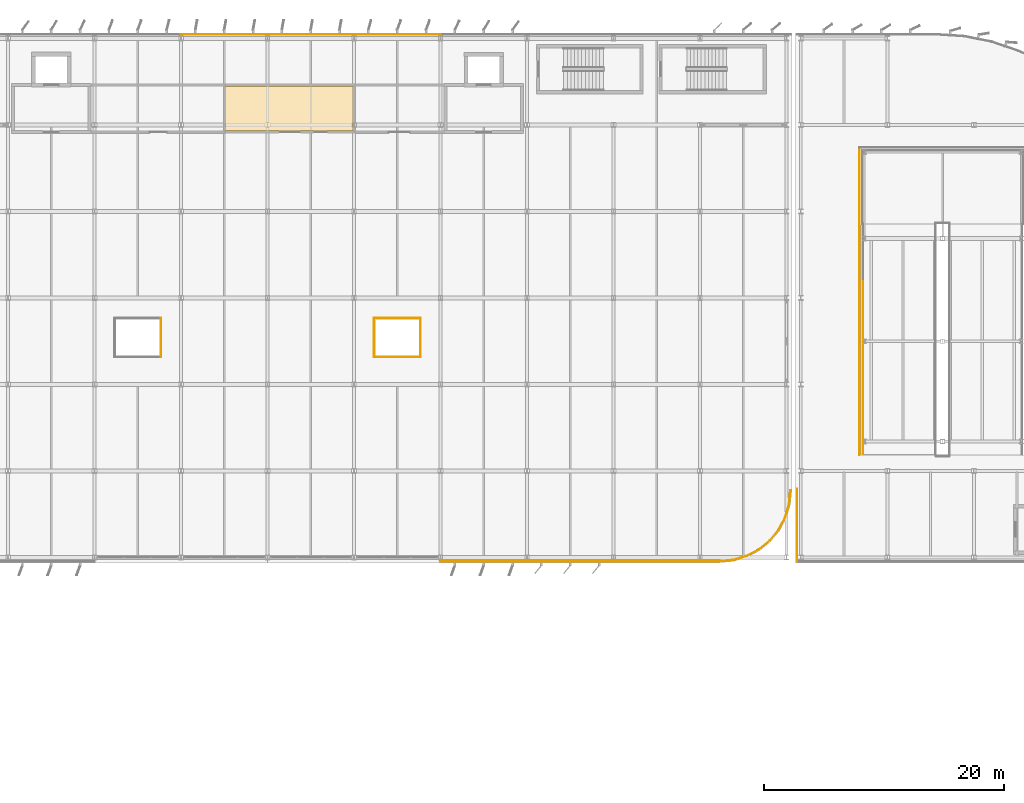
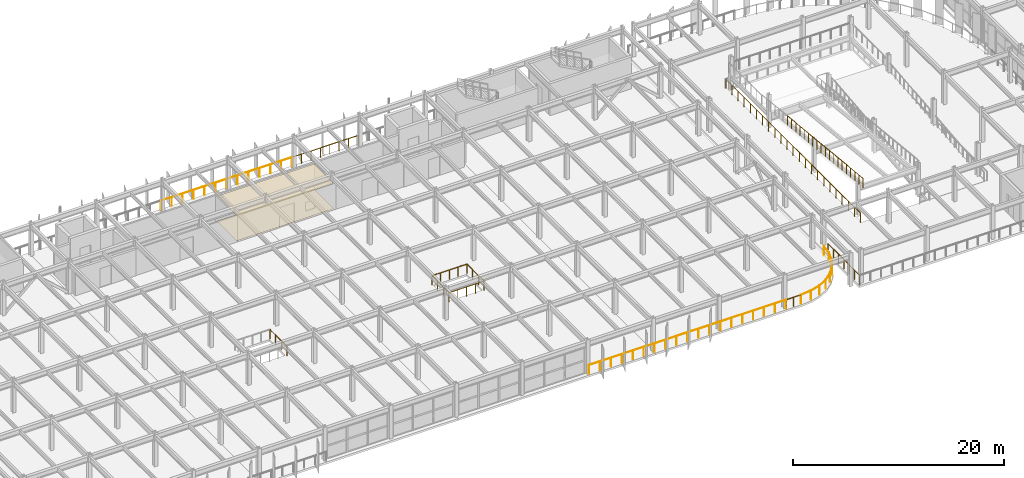
# One storey, part 67 of 80: 25 railings, 2 coverings.
"""IFC4 building model written with IfcOpenShell, lengths in metres."""

from ifc_helpers import new_model, si_unit, direction, frame, origin, origin_2d, place, context, subcontext, project, spatial, polyline, circle, outline, extrude, material, layer, layer_set, type_object, element, save


model = new_model("IFC4")

# Units and contexts
model_context = context("Model", 3, precision=1e-05, world=origin(), true_north=direction((0.0, 1.0)))
body_context = subcontext(model_context, "Body", "Model", "MODEL_VIEW")
ifc_project = project(units=[si_unit("LENGTHUNIT", "METRE"), si_unit("AREAUNIT", "SQUARE_METRE"), si_unit("VOLUMEUNIT", "CUBIC_METRE"), si_unit("PLANEANGLEUNIT", "RADIAN"), si_unit("MASSUNIT", "GRAM", prefix="KILO")], contexts=[model_context])

# Site, building, storey
site_placement = place(None, origin())
site = spatial("IfcSite", under=ifc_project, at=site_placement, CompositionType="ELEMENT")
building_placement = place(site_placement, origin())
building = spatial("IfcBuilding", under=site, at=building_placement, Name="Vaelcorin Mobility Hub", CompositionType="ELEMENT")
storey_placement = place(building_placement, frame((0.0, 0.0, 9.300048828125)))
storey = spatial("IfcBuildingStorey", under=building, at=storey_placement, Name="L02", CompositionType="ELEMENT", Elevation=9.300048828125)

# Coverings
ifc_material_1 = material(Name="Perforated acoustic mineral-fibre ceiling tile")
ifc_layer_1 = layer(ifc_material_1, 0.02001953125)
ifc_layer_set_1 = layer_set([ifc_layer_1], Name="Perforated acoustic mineral-fibre ceiling tile")
covering_type_1 = type_object("IfcCoveringType", Name="COV-CEIL-1", PredefinedType="CEILING", material=ifc_layer_set_1)
covering_1_placement = place(storey_placement, frame((0.0, 0.0, 2.907958984375)))
element("IfcCovering", 1, at=covering_1_placement, inside=storey, type_object=covering_type_1, Name="EV Fleet Valet Dispatch Room Acoustic Ceiling", PredefinedType="CEILING", context=body_context, shape_type="SweptSolid", body=[
    extrude(outline(polyline([(75.739990234375, 112.280029296875), (75.73388671875, 112.280029296875), (75.72802734375, 112.281005859375), (75.722900390625, 112.282958984375), (75.717041015625, 112.284912109375), (75.7119140625, 112.287109375), (75.70703125, 112.2900390625), (75.701904296875, 112.2939453125), (75.697998046875, 112.298095703125), (75.694091796875, 112.302001953125), (75.68994140625, 112.306884765625), (75.68701171875, 112.31201171875), (75.68505859375, 112.31689453125), (75.68310546875, 112.322998046875), (75.680908203125, 112.327880859375), (75.679931640625, 112.333984375), (75.679931640625, 112.340087890625), (75.679931640625, 115.985107421875), (75.679931640625, 115.990966796875), (75.680908203125, 115.9970703125), (75.68310546875, 116.001953125), (75.68505859375, 116.008056640625), (75.68701171875, 116.012939453125), (75.68994140625, 116.01806640625), (75.694091796875, 116.02294921875), (75.697998046875, 116.027099609375), (75.701904296875, 116.031005859375), (75.70703125, 116.034912109375), (75.7119140625, 116.0380859375), (75.717041015625, 116.0400390625), (75.722900390625, 116.0419921875), (75.72802734375, 116.0439453125), (75.73388671875, 116.044921875), (75.739990234375, 116.044921875), (86.260009765625, 116.044921875), (86.26611328125, 116.044921875), (86.27197265625, 116.0439453125), (86.277099609375, 116.0419921875), (86.282958984375, 116.0400390625), (86.2880859375, 116.0380859375), (86.29296875, 116.034912109375), (86.298095703125, 116.031005859375), (86.302001953125, 116.027099609375), (86.305908203125, 116.02294921875), (86.31005859375, 116.01806640625), (86.31298828125, 116.012939453125), (86.31494140625, 116.008056640625), (86.31689453125, 116.001953125), (86.319091796875, 115.9970703125), (86.320068359375, 115.990966796875), (86.320068359375, 115.985107421875), (86.320068359375, 112.340087890625), (86.320068359375, 112.333984375), (86.319091796875, 112.327880859375), (86.31689453125, 112.322998046875), (86.31494140625, 112.31689453125), (86.31298828125, 112.31201171875), (86.31005859375, 112.306884765625), (86.305908203125, 112.302001953125), (86.302001953125, 112.298095703125), (86.298095703125, 112.2939453125), (86.29296875, 112.2900390625), (86.2880859375, 112.287109375), (86.282958984375, 112.284912109375), (86.277099609375, 112.282958984375), (86.27197265625, 112.281005859375), (86.26611328125, 112.280029296875), (86.260009765625, 112.280029296875), (75.739990234375, 112.280029296875)])), origin(), (0.0, 0.0, 1.0), 0.02001953125),
])
ifc_material_2 = material(Name="Polished epoxy-terrazzo concourse flooring")
ifc_layer_2 = layer(ifc_material_2, 0.01806640625)
ifc_layer_set_2 = layer_set([ifc_layer_2], Name="Polished epoxy-terrazzo concourse flooring")
covering_type_2 = type_object("IfcCoveringType", Name="COV-FLR-1", PredefinedType="FLOORING", material=ifc_layer_set_2)
covering_2_placement = place(storey_placement, origin())
element("IfcCovering", 2, at=covering_2_placement, inside=storey, type_object=covering_type_2, Name="EV Fleet Valet Dispatch Room Finish Flooring", PredefinedType="FLOORING", context=body_context, shape_type="SweptSolid", body=[
    extrude(outline(polyline([(75.739990234375, 112.280029296875), (75.73388671875, 112.280029296875), (75.72802734375, 112.281005859375), (75.722900390625, 112.282958984375), (75.717041015625, 112.284912109375), (75.7119140625, 112.287109375), (75.70703125, 112.2900390625), (75.701904296875, 112.2939453125), (75.697998046875, 112.298095703125), (75.694091796875, 112.302001953125), (75.68994140625, 112.306884765625), (75.68701171875, 112.31201171875), (75.68505859375, 112.31689453125), (75.68310546875, 112.322998046875), (75.680908203125, 112.327880859375), (75.679931640625, 112.333984375), (75.679931640625, 112.340087890625), (75.679931640625, 115.985107421875), (75.679931640625, 115.990966796875), (75.680908203125, 115.9970703125), (75.68310546875, 116.001953125), (75.68505859375, 116.008056640625), (75.68701171875, 116.012939453125), (75.68994140625, 116.01806640625), (75.694091796875, 116.02294921875), (75.697998046875, 116.027099609375), (75.701904296875, 116.031005859375), (75.70703125, 116.034912109375), (75.7119140625, 116.0380859375), (75.717041015625, 116.0400390625), (75.722900390625, 116.0419921875), (75.72802734375, 116.0439453125), (75.73388671875, 116.044921875), (75.739990234375, 116.044921875), (86.260009765625, 116.044921875), (86.26611328125, 116.044921875), (86.27197265625, 116.0439453125), (86.277099609375, 116.0419921875), (86.282958984375, 116.0400390625), (86.2880859375, 116.0380859375), (86.29296875, 116.034912109375), (86.298095703125, 116.031005859375), (86.302001953125, 116.027099609375), (86.305908203125, 116.02294921875), (86.31005859375, 116.01806640625), (86.31298828125, 116.012939453125), (86.31494140625, 116.008056640625), (86.31689453125, 116.001953125), (86.319091796875, 115.9970703125), (86.320068359375, 115.990966796875), (86.320068359375, 115.985107421875), (86.320068359375, 112.340087890625), (86.320068359375, 112.333984375), (86.319091796875, 112.327880859375), (86.31689453125, 112.322998046875), (86.31494140625, 112.31689453125), (86.31298828125, 112.31201171875), (86.31005859375, 112.306884765625), (86.305908203125, 112.302001953125), (86.302001953125, 112.298095703125), (86.298095703125, 112.2939453125), (86.29296875, 112.2900390625), (86.2880859375, 112.287109375), (86.282958984375, 112.284912109375), (86.277099609375, 112.282958984375), (86.27197265625, 112.281005859375), (86.26611328125, 112.280029296875), (86.260009765625, 112.280029296875), (75.739990234375, 112.280029296875)])), origin(), (0.0, 0.0, 1.0), 0.01806640625),
])

# Railings
ifc_material_3 = material(Name="Galvanised structural steel ASTM A36", Category="steel")
ifc_layer_3 = layer(ifc_material_3, 0.070068359375)
ifc_layer_set_3 = layer_set([ifc_layer_3], Name="Galvanised structural steel ASTM A36")
railing_type = type_object("IfcRailingType", Name="RL-GUARD-1100", PredefinedType="BALUSTRADE", material=ifc_layer_set_3)
for number, where, name in (
    (3, (72.0, 120.330078125, 0.0), "L02 Perimeter Guard GR-V4-L02-N-06-01"),
    (4, (79.199951171875, 120.330078125, 0.0), "L02 Perimeter Guard GR-V4-L02-N-07-01"),
):
    element("IfcRailing", number, at=place(storey_placement, frame(where)), inside=storey, type_object=railing_type, Name=name, PredefinedType="BALUSTRADE", context=body_context, shape_type="SweptSolid", body=[
        extrude(circle(Radius=0.02392578125, at=origin_2d()), frame((0.0, 0.0, 1.076171875), z_axis=(1.0, 0.0, 0.0), x_axis=(0.0, 1.0, 0.0)), (0.0, 0.0, 1.0), 7.199951171875),
        extrude(circle(Radius=0.02099609375, at=origin_2d()), origin(), (0.0, 0.0, 1.0), 1.052001953125),
        extrude(circle(Radius=0.02099609375, at=origin_2d()), frame((1.199951171875, 0.0, 0.0)), (0.0, 0.0, 1.0), 1.052001953125),
        extrude(circle(Radius=0.02099609375, at=origin_2d()), frame((2.39990234375, 0.0, 0.0)), (0.0, 0.0, 1.0), 1.052001953125),
        extrude(circle(Radius=0.02099609375, at=origin_2d()), frame((3.60009765625, 0.0, 0.0)), (0.0, 0.0, 1.0), 1.052001953125),
        extrude(circle(Radius=0.02099609375, at=origin_2d()), frame((4.800048828125, 0.0, 0.0)), (0.0, 0.0, 1.0), 1.052001953125),
        extrude(circle(Radius=0.02099609375, at=origin_2d()), frame((6.0, 0.0, 0.0)), (0.0, 0.0, 1.0), 1.052001953125),
        extrude(circle(Radius=0.02099609375, at=origin_2d()), frame((7.199951171875, 0.0, 0.0)), (0.0, 0.0, 1.0), 1.052001953125),
    ])
railing_1_placement = place(storey_placement, frame((86.39990234375, 120.330078125, 0.0)))
element("IfcRailing", 5, at=railing_1_placement, inside=storey, type_object=railing_type, Name="L02 Perimeter Guard GR-V4-L02-N-08-01", PredefinedType="BALUSTRADE", context=body_context, shape_type="SweptSolid", body=[
    extrude(circle(Radius=0.02392578125, at=origin_2d()), frame((0.0, 0.0, 1.076171875), z_axis=(1.0, 0.0, 0.0), x_axis=(0.0, 1.0, 0.0)), (0.0, 0.0, 1.0), 7.2001953125),
    extrude(circle(Radius=0.02099609375, at=origin_2d()), origin(), (0.0, 0.0, 1.0), 1.052001953125),
    extrude(circle(Radius=0.02099609375, at=origin_2d()), frame((1.028564453125, 0.0, 0.0)), (0.0, 0.0, 1.0), 1.052001953125),
    extrude(circle(Radius=0.02099609375, at=origin_2d()), frame((2.05712890625, 0.0, 0.0)), (0.0, 0.0, 1.0), 1.052001953125),
    extrude(circle(Radius=0.02099609375, at=origin_2d()), frame((3.085693359375, 0.0, 0.0)), (0.0, 0.0, 1.0), 1.052001953125),
    extrude(circle(Radius=0.02099609375, at=origin_2d()), frame((4.114501953125, 0.0, 0.0)), (0.0, 0.0, 1.0), 1.052001953125),
    extrude(circle(Radius=0.02099609375, at=origin_2d()), frame((5.14306640625, 0.0, 0.0)), (0.0, 0.0, 1.0), 1.052001953125),
    extrude(circle(Radius=0.02099609375, at=origin_2d()), frame((6.171630859375, 0.0, 0.0)), (0.0, 0.0, 1.0), 1.052001953125),
    extrude(circle(Radius=0.02099609375, at=origin_2d()), frame((7.2001953125, 0.0, 0.0)), (0.0, 0.0, 1.0), 1.052001953125),
])
for number, where, name in (
    (6, (93.60009765625, 76.469970703125, 0.0), "L02 Perimeter Guard GR-V4-L02-S-09-01"),
    (7, (100.800048828125, 76.469970703125, 0.0), "L02 Perimeter Guard GR-V4-L02-S-10-01"),
    (8, (108.0, 76.469970703125, 0.0), "L02 Perimeter Guard GR-V4-L02-S-11-01"),
):
    element("IfcRailing", number, at=place(storey_placement, frame(where)), inside=storey, type_object=railing_type, Name=name, PredefinedType="BALUSTRADE", context=body_context, shape_type="SweptSolid", body=[
        extrude(circle(Radius=0.02392578125, at=origin_2d()), frame((0.0, 0.0, 1.076171875), z_axis=(1.0, 0.0, 0.0), x_axis=(0.0, 1.0, 0.0)), (0.0, 0.0, 1.0), 7.199951171875),
        extrude(circle(Radius=0.02099609375, at=origin_2d()), origin(), (0.0, 0.0, 1.0), 1.052001953125),
        extrude(circle(Radius=0.02099609375, at=origin_2d()), frame((1.199951171875, 0.0, 0.0)), (0.0, 0.0, 1.0), 1.052001953125),
        extrude(circle(Radius=0.02099609375, at=origin_2d()), frame((2.39990234375, 0.0, 0.0)), (0.0, 0.0, 1.0), 1.052001953125),
        extrude(circle(Radius=0.02099609375, at=origin_2d()), frame((3.60009765625, 0.0, 0.0)), (0.0, 0.0, 1.0), 1.052001953125),
        extrude(circle(Radius=0.02099609375, at=origin_2d()), frame((4.800048828125, 0.0, 0.0)), (0.0, 0.0, 1.0), 1.052001953125),
        extrude(circle(Radius=0.02099609375, at=origin_2d()), frame((6.0, 0.0, 0.0)), (0.0, 0.0, 1.0), 1.052001953125),
        extrude(circle(Radius=0.02099609375, at=origin_2d()), frame((7.199951171875, 0.0, 0.0)), (0.0, 0.0, 1.0), 1.052001953125),
    ])
railing_2_placement = place(storey_placement, frame((115.199951171875, 76.469970703125, 0.0)))
element("IfcRailing", 9, at=railing_2_placement, inside=storey, type_object=railing_type, Name="L02 Perimeter Guard GR-V4-L02-S-12-01", PredefinedType="BALUSTRADE", context=body_context, shape_type="SweptSolid", body=[
    extrude(circle(Radius=0.02392578125, at=origin_2d()), frame((0.0, 0.0, 1.076171875), z_axis=(1.0, 0.0, 0.0), x_axis=(0.0, 1.0, 0.0)), (0.0, 0.0, 1.0), 1.650146484375),
    extrude(circle(Radius=0.02099609375, at=origin_2d()), origin(), (0.0, 0.0, 1.0), 1.052001953125),
    extrude(circle(Radius=0.02099609375, at=origin_2d()), frame((0.8251953125, 0.0, 0.0)), (0.0, 0.0, 1.0), 1.052001953125),
    extrude(circle(Radius=0.02099609375, at=origin_2d()), frame((1.650146484375, 0.0, 0.0)), (0.0, 0.0, 1.0), 1.052001953125),
])
railing_3_placement = place(storey_placement, frame((116.85009765625, 76.469970703125, 0.0)))
element("IfcRailing", 10, at=railing_3_placement, inside=storey, type_object=railing_type, Name="L02 Perimeter Guard GR-V4-L02-S-12-02", PredefinedType="BALUSTRADE", context=body_context, shape_type="SweptSolid", body=[
    extrude(circle(Radius=0.02392578125, at=origin_2d()), frame((0.0, 0.0, 1.076171875), z_axis=(0.995178786561, 0.098077432562, 0.0), x_axis=(-0.098077432562, 0.995178786561, 0.0)), (0.0, 0.0, 1.0), 1.152587890625),
    extrude(circle(Radius=0.02099609375, at=origin_2d()), origin(), (0.0, 0.0, 1.0), 1.052001953125),
    extrude(circle(Radius=0.02099609375, at=origin_2d()), frame((1.14697265625, 0.113037109375, 0.0)), (0.0, 0.0, 1.0), 1.052001953125),
])
railing_4_placement = place(storey_placement, frame((117.9970703125, 76.5830078125, 0.0)))
element("IfcRailing", 11, at=railing_4_placement, inside=storey, type_object=railing_type, Name="L02 Perimeter Guard GR-V4-L02-S-12-03", PredefinedType="BALUSTRADE", context=body_context, shape_type="SweptSolid", body=[
    extrude(circle(Radius=0.02392578125, at=origin_2d()), frame((0.0, 0.0, 1.076171875), z_axis=(0.956853241075, 0.290571634961, 0.0), x_axis=(-0.290571634961, 0.956853241075, 0.0)), (0.0, 0.0, 1.0), 1.15283203125),
    extrude(circle(Radius=0.02099609375, at=origin_2d()), origin(), (0.0, 0.0, 1.0), 1.052001953125),
    extrude(circle(Radius=0.02099609375, at=origin_2d()), frame((1.10302734375, 0.3349609375, 0.0)), (0.0, 0.0, 1.0), 1.052001953125),
])
railing_5_placement = place(storey_placement, frame((119.10009765625, 76.91796875, 0.0)))
element("IfcRailing", 12, at=railing_5_placement, inside=storey, type_object=railing_type, Name="L02 Perimeter Guard GR-V4-L02-S-12-04", PredefinedType="BALUSTRADE", context=body_context, shape_type="SweptSolid", body=[
    extrude(circle(Radius=0.02392578125, at=origin_2d()), frame((0.0, 0.0, 1.076171875), z_axis=(0.882118320208, 0.471027885749, 0.0), x_axis=(-0.471027885749, 0.882118320208, 0.0)), (0.0, 0.0, 1.0), 1.15283203125),
    extrude(circle(Radius=0.02099609375, at=origin_2d()), origin(), (0.0, 0.0, 1.0), 1.052001953125),
    extrude(circle(Radius=0.02099609375, at=origin_2d()), frame((1.016845703125, 0.54296875, 0.0)), (0.0, 0.0, 1.0), 1.052001953125),
])
railing_6_placement = place(storey_placement, frame((120.116943359375, 77.4609375, 0.0)))
element("IfcRailing", 13, at=railing_6_placement, inside=storey, type_object=railing_type, Name="L02 Perimeter Guard GR-V4-L02-S-12-05", PredefinedType="BALUSTRADE", context=body_context, shape_type="SweptSolid", body=[
    extrude(circle(Radius=0.02392578125, at=origin_2d()), frame((0.0, 0.0, 1.076171875), z_axis=(0.773163919145, 0.63420623943, 0.0), x_axis=(-0.63420623943, 0.773163919145, 0.0)), (0.0, 0.0, 1.0), 1.152587890625),
    extrude(circle(Radius=0.02099609375, at=origin_2d()), origin(), (0.0, 0.0, 1.0), 1.052001953125),
    extrude(circle(Radius=0.02099609375, at=origin_2d()), frame((0.89111328125, 0.73095703125, 0.0)), (0.0, 0.0, 1.0), 1.052001953125),
])
railing_7_placement = place(storey_placement, frame((121.008056640625, 78.19189453125, 0.0)))
element("IfcRailing", 14, at=railing_7_placement, inside=storey, type_object=railing_type, Name="L02 Perimeter Guard GR-V4-L02-S-12-06", PredefinedType="BALUSTRADE", context=body_context, shape_type="SweptSolid", body=[
    extrude(circle(Radius=0.02392578125, at=origin_2d()), frame((0.0, 0.0, 1.076171875), z_axis=(0.63420623943, 0.773163919145, 0.0), x_axis=(-0.773163919145, 0.63420623943, 0.0)), (0.0, 0.0, 1.0), 1.152587890625),
    extrude(circle(Radius=0.02099609375, at=origin_2d()), origin(), (0.0, 0.0, 1.0), 1.052001953125),
    extrude(circle(Radius=0.02099609375, at=origin_2d()), frame((0.73095703125, 0.89111328125, 0.0)), (0.0, 0.0, 1.0), 1.052001953125),
])
railing_8_placement = place(storey_placement, frame((121.739013671875, 79.0830078125, 0.0)))
element("IfcRailing", 15, at=railing_8_placement, inside=storey, type_object=railing_type, Name="L02 Perimeter Guard GR-V4-L02-S-12-07", PredefinedType="BALUSTRADE", context=body_context, shape_type="SweptSolid", body=[
    extrude(circle(Radius=0.02392578125, at=origin_2d()), frame((0.0, 0.0, 1.076171875), z_axis=(0.470939899312, 0.882165297003, 0.0), x_axis=(-0.882165297003, 0.470939899312, 0.0)), (0.0, 0.0, 1.0), 1.15283203125),
    extrude(circle(Radius=0.02099609375, at=origin_2d()), origin(), (0.0, 0.0, 1.0), 1.052001953125),
    extrude(circle(Radius=0.02099609375, at=origin_2d()), frame((0.54296875, 1.01708984375, 0.0)), (0.0, 0.0, 1.0), 1.052001953125),
])
railing_9_placement = place(storey_placement, frame((122.281982421875, 80.10009765625, 0.0)))
element("IfcRailing", 16, at=railing_9_placement, inside=storey, type_object=railing_type, Name="L02 Perimeter Guard GR-V4-L02-S-12-08", PredefinedType="BALUSTRADE", context=body_context, shape_type="SweptSolid", body=[
    extrude(circle(Radius=0.02392578125, at=origin_2d()), frame((0.0, 0.0, 1.076171875), z_axis=(0.290630530394, 0.956835354073, 0.0), x_axis=(-0.956835354073, 0.290630530394, 0.0)), (0.0, 0.0, 1.0), 1.152587890625),
    extrude(circle(Radius=0.02099609375, at=origin_2d()), origin(), (0.0, 0.0, 1.0), 1.052001953125),
    extrude(circle(Radius=0.02099609375, at=origin_2d()), frame((0.3349609375, 1.102783203125, 0.0)), (0.0, 0.0, 1.0), 1.052001953125),
])
railing_10_placement = place(storey_placement, frame((122.616943359375, 81.202880859375, 0.0)))
element("IfcRailing", 17, at=railing_10_placement, inside=storey, type_object=railing_type, Name="L02 Perimeter Guard GR-V4-L02-S-12-09", PredefinedType="BALUSTRADE", context=body_context, shape_type="SweptSolid", body=[
    extrude(circle(Radius=0.02392578125, at=origin_2d()), frame((0.0, 0.0, 1.076171875), z_axis=(0.098056761291, 0.995180823552, 0.0), x_axis=(-0.995180823552, 0.098056761291, 0.0)), (0.0, 0.0, 1.0), 1.15283203125),
    extrude(circle(Radius=0.02099609375, at=origin_2d()), origin(), (0.0, 0.0, 1.0), 1.052001953125),
    extrude(circle(Radius=0.02099609375, at=origin_2d()), frame((0.113037109375, 1.147216796875, 0.0)), (0.0, 0.0, 1.0), 1.052001953125),
])
railing_11_placement = place(storey_placement, frame((70.320068359375, 93.47998046875, 0.0)))
element("IfcRailing", 18, at=railing_11_placement, inside=storey, type_object=railing_type, Name="L02 Perimeter Guard GR-V4-L02-LW1-02", PredefinedType="BALUSTRADE", context=body_context, shape_type="SweptSolid", body=[
    extrude(circle(Radius=0.02392578125, at=origin_2d()), frame((0.0, 0.0, 1.076171875), z_axis=(0.0, 1.0, 0.0), x_axis=(-1.0, 0.0, 0.0)), (0.0, 0.0, 1.0), 3.239990234375),
    extrude(circle(Radius=0.02099609375, at=origin_2d()), origin(), (0.0, 0.0, 1.0), 1.052001953125),
    extrude(circle(Radius=0.02099609375, at=origin_2d()), frame((0.0, 1.080078125, 0.0)), (0.0, 0.0, 1.0), 1.052001953125),
    extrude(circle(Radius=0.02099609375, at=origin_2d()), frame((0.0, 2.159912109375, 0.0)), (0.0, 0.0, 1.0), 1.052001953125),
    extrude(circle(Radius=0.02099609375, at=origin_2d()), frame((0.0, 3.239990234375, 0.0)), (0.0, 0.0, 1.0), 1.052001953125),
])
railing_12_placement = place(storey_placement, frame((88.080078125, 93.47998046875, 0.0)))
element("IfcRailing", 19, at=railing_12_placement, inside=storey, type_object=railing_type, Name="L02 Perimeter Guard GR-V4-L02-LW2-01", PredefinedType="BALUSTRADE", context=body_context, shape_type="SweptSolid", body=[
    extrude(circle(Radius=0.02392578125, at=origin_2d()), frame((0.0, 0.0, 1.076171875), z_axis=(1.0, 0.0, 0.0), x_axis=(0.0, 1.0, 0.0)), (0.0, 0.0, 1.0), 3.83984375),
    extrude(circle(Radius=0.02099609375, at=origin_2d()), origin(), (0.0, 0.0, 1.0), 1.052001953125),
    extrude(circle(Radius=0.02099609375, at=origin_2d()), frame((0.9599609375, 0.0, 0.0)), (0.0, 0.0, 1.0), 1.052001953125),
    extrude(circle(Radius=0.02099609375, at=origin_2d()), frame((1.919921875, 0.0, 0.0)), (0.0, 0.0, 1.0), 1.052001953125),
    extrude(circle(Radius=0.02099609375, at=origin_2d()), frame((2.8798828125, 0.0, 0.0)), (0.0, 0.0, 1.0), 1.052001953125),
    extrude(circle(Radius=0.02099609375, at=origin_2d()), frame((3.83984375, 0.0, 0.0)), (0.0, 0.0, 1.0), 1.052001953125),
])
railing_13_placement = place(storey_placement, frame((91.919921875, 93.47998046875, 0.0)))
element("IfcRailing", 20, at=railing_13_placement, inside=storey, type_object=railing_type, Name="L02 Perimeter Guard GR-V4-L02-LW2-02", PredefinedType="BALUSTRADE", context=body_context, shape_type="SweptSolid", body=[
    extrude(circle(Radius=0.02392578125, at=origin_2d()), frame((0.0, 0.0, 1.076171875), z_axis=(0.0, 1.0, 0.0), x_axis=(-1.0, 0.0, 0.0)), (0.0, 0.0, 1.0), 3.239990234375),
    extrude(circle(Radius=0.02099609375, at=origin_2d()), origin(), (0.0, 0.0, 1.0), 1.052001953125),
    extrude(circle(Radius=0.02099609375, at=origin_2d()), frame((0.0, 1.080078125, 0.0)), (0.0, 0.0, 1.0), 1.052001953125),
    extrude(circle(Radius=0.02099609375, at=origin_2d()), frame((0.0, 2.159912109375, 0.0)), (0.0, 0.0, 1.0), 1.052001953125),
    extrude(circle(Radius=0.02099609375, at=origin_2d()), frame((0.0, 3.239990234375, 0.0)), (0.0, 0.0, 1.0), 1.052001953125),
])
railing_14_placement = place(storey_placement, frame((91.919921875, 96.719970703125, 0.0)))
element("IfcRailing", 21, at=railing_14_placement, inside=storey, type_object=railing_type, Name="L02 Perimeter Guard GR-V4-L02-LW2-03", PredefinedType="BALUSTRADE", context=body_context, shape_type="SweptSolid", body=[
    extrude(circle(Radius=0.02392578125, at=origin_2d()), frame((0.0, 0.0, 1.076171875), z_axis=(-1.0, 0.0, 0.0), x_axis=(0.0, -1.0, 0.0)), (0.0, 0.0, 1.0), 3.83984375),
    extrude(circle(Radius=0.02099609375, at=origin_2d()), origin(), (0.0, 0.0, 1.0), 1.052001953125),
    extrude(circle(Radius=0.02099609375, at=origin_2d()), frame((-0.9599609375, 0.0, 0.0)), (0.0, 0.0, 1.0), 1.052001953125),
    extrude(circle(Radius=0.02099609375, at=origin_2d()), frame((-1.919921875, 0.0, 0.0)), (0.0, 0.0, 1.0), 1.052001953125),
    extrude(circle(Radius=0.02099609375, at=origin_2d()), frame((-2.8798828125, 0.0, 0.0)), (0.0, 0.0, 1.0), 1.052001953125),
    extrude(circle(Radius=0.02099609375, at=origin_2d()), frame((-3.83984375, 0.0, 0.0)), (0.0, 0.0, 1.0), 1.052001953125),
])
railing_15_placement = place(storey_placement, frame((88.080078125, 96.719970703125, 0.0)))
element("IfcRailing", 22, at=railing_15_placement, inside=storey, type_object=railing_type, Name="L02 Perimeter Guard GR-V4-L02-LW2-04", PredefinedType="BALUSTRADE", context=body_context, shape_type="SweptSolid", body=[
    extrude(circle(Radius=0.02392578125, at=origin_2d()), frame((0.0, 0.0, 1.076171875), z_axis=(0.0, -1.0, 0.0), x_axis=(1.0, 0.0, 0.0)), (0.0, 0.0, 1.0), 3.239990234375),
    extrude(circle(Radius=0.02099609375, at=origin_2d()), origin(), (0.0, 0.0, 1.0), 1.052001953125),
    extrude(circle(Radius=0.02099609375, at=origin_2d()), frame((0.0, -1.080078125, 0.0)), (0.0, 0.0, 1.0), 1.052001953125),
    extrude(circle(Radius=0.02099609375, at=origin_2d()), frame((0.0, -2.159912109375, 0.0)), (0.0, 0.0, 1.0), 1.052001953125),
    extrude(circle(Radius=0.02099609375, at=origin_2d()), frame((0.0, -3.239990234375, 0.0)), (0.0, 0.0, 1.0), 1.052001953125),
])
railing_16_placement = place(storey_placement, frame((128.47998046875, 85.340087890625, 0.0)))
element("IfcRailing", 23, at=railing_16_placement, inside=storey, type_object=railing_type, Name="L02 Perimeter Guard GR-V2E-L02-WELL-01", PredefinedType="BALUSTRADE", context=body_context, shape_type="SweptSolid", body=[
    extrude(circle(Radius=0.02392578125, at=origin_2d()), frame((0.0, 0.0, 1.076171875), z_axis=(0.0, 1.0, 0.0), x_axis=(-1.0, 0.0, 0.0)), (0.0, 0.0, 1.0), 25.579833984375),
    extrude(circle(Radius=0.02099609375, at=origin_2d()), origin(), (0.0, 0.0, 1.0), 1.052001953125),
    extrude(circle(Radius=0.02099609375, at=origin_2d()), frame((0.0, 1.16259765625, 0.0)), (0.0, 0.0, 1.0), 1.052001953125),
    extrude(circle(Radius=0.02099609375, at=origin_2d()), frame((0.0, 2.325439453125, 0.0)), (0.0, 0.0, 1.0), 1.052001953125),
    extrude(circle(Radius=0.02099609375, at=origin_2d()), frame((0.0, 3.488037109375, 0.0)), (0.0, 0.0, 1.0), 1.052001953125),
    extrude(circle(Radius=0.02099609375, at=origin_2d()), frame((0.0, 4.65087890625, 0.0)), (0.0, 0.0, 1.0), 1.052001953125),
    extrude(circle(Radius=0.02099609375, at=origin_2d()), frame((0.0, 5.8134765625, 0.0)), (0.0, 0.0, 1.0), 1.052001953125),
    extrude(circle(Radius=0.02099609375, at=origin_2d()), frame((0.0, 6.976318359375, 0.0)), (0.0, 0.0, 1.0), 1.052001953125),
    extrude(circle(Radius=0.02099609375, at=origin_2d()), frame((0.0, 8.13916015625, 0.0)), (0.0, 0.0, 1.0), 1.052001953125),
    extrude(circle(Radius=0.02099609375, at=origin_2d()), frame((0.0, 9.3017578125, 0.0)), (0.0, 0.0, 1.0), 1.052001953125),
    extrude(circle(Radius=0.02099609375, at=origin_2d()), frame((0.0, 10.46435546875, 0.0)), (0.0, 0.0, 1.0), 1.052001953125),
    extrude(circle(Radius=0.02099609375, at=origin_2d()), frame((0.0, 11.627197265625, 0.0)), (0.0, 0.0, 1.0), 1.052001953125),
    extrude(circle(Radius=0.02099609375, at=origin_2d()), frame((0.0, 12.7900390625, 0.0)), (0.0, 0.0, 1.0), 1.052001953125),
    extrude(circle(Radius=0.02099609375, at=origin_2d()), frame((0.0, 13.95263671875, 0.0)), (0.0, 0.0, 1.0), 1.052001953125),
    extrude(circle(Radius=0.02099609375, at=origin_2d()), frame((0.0, 15.115234375, 0.0)), (0.0, 0.0, 1.0), 1.052001953125),
    extrude(circle(Radius=0.02099609375, at=origin_2d()), frame((0.0, 16.278076171875, 0.0)), (0.0, 0.0, 1.0), 1.052001953125),
    extrude(circle(Radius=0.02099609375, at=origin_2d()), frame((0.0, 17.44091796875, 0.0)), (0.0, 0.0, 1.0), 1.052001953125),
    extrude(circle(Radius=0.02099609375, at=origin_2d()), frame((0.0, 18.603515625, 0.0)), (0.0, 0.0, 1.0), 1.052001953125),
    extrude(circle(Radius=0.02099609375, at=origin_2d()), frame((0.0, 19.76611328125, 0.0)), (0.0, 0.0, 1.0), 1.052001953125),
    extrude(circle(Radius=0.02099609375, at=origin_2d()), frame((0.0, 20.928955078125, 0.0)), (0.0, 0.0, 1.0), 1.052001953125),
    extrude(circle(Radius=0.02099609375, at=origin_2d()), frame((0.0, 22.091796875, 0.0)), (0.0, 0.0, 1.0), 1.052001953125),
    extrude(circle(Radius=0.02099609375, at=origin_2d()), frame((0.0, 23.25439453125, 0.0)), (0.0, 0.0, 1.0), 1.052001953125),
    extrude(circle(Radius=0.02099609375, at=origin_2d()), frame((0.0, 24.4169921875, 0.0)), (0.0, 0.0, 1.0), 1.052001953125),
    extrude(circle(Radius=0.02099609375, at=origin_2d()), frame((0.0, 25.579833984375, 0.0)), (0.0, 0.0, 1.0), 1.052001953125),
])
railing_17_placement = place(storey_placement, frame((128.780029296875, 99.7451171875, 2.43798828125)))
element("IfcRailing", 24, at=railing_17_placement, inside=storey, type_object=railing_type, Name="L02 Ramp Guard GR-V2E-L02-FL2-W-02", PredefinedType="BALUSTRADE", context=body_context, shape_type="SweptSolid", body=[
    extrude(circle(Radius=0.02392578125, at=origin_2d()), frame((0.0, 0.0, 1.076171875), z_axis=(0.0, -0.994881014515, 0.101053287712), x_axis=(1.0, 0.0, 0.0)), (0.0, 0.0, 1.0), 4.81982421875),
    extrude(circle(Radius=0.02099609375, at=origin_2d()), origin(), (0.0, 0.0, 1.0), 1.052001953125),
    extrude(circle(Radius=0.02099609375, at=origin_2d()), frame((0.0, -0.79931640625, 0.0810546875)), (0.0, 0.0, 1.0), 1.052001953125),
    extrude(circle(Radius=0.02099609375, at=origin_2d()), frame((0.0, -1.598388671875, 0.162353515625)), (0.0, 0.0, 1.0), 1.052001953125),
    extrude(circle(Radius=0.02099609375, at=origin_2d()), frame((0.0, -2.3974609375, 0.24365234375)), (0.0, 0.0, 1.0), 1.052001953125),
    extrude(circle(Radius=0.02099609375, at=origin_2d()), frame((0.0, -3.19677734375, 0.32470703125)), (0.0, 0.0, 1.0), 1.052001953125),
    extrude(circle(Radius=0.02099609375, at=origin_2d()), frame((0.0, -3.99609375, 0.40576171875)), (0.0, 0.0, 1.0), 1.052001953125),
    extrude(circle(Radius=0.02099609375, at=origin_2d()), frame((0.0, -4.795166015625, 0.487060546875)), (0.0, 0.0, 1.0), 1.052001953125),
])
railing_18_placement = place(storey_placement, frame((128.780029296875, 94.949951171875, 2.925048828125)))
element("IfcRailing", 25, at=railing_18_placement, inside=storey, type_object=railing_type, Name="L02 Ramp Guard GR-V2E-L02-FL2-W-03", PredefinedType="BALUSTRADE", context=body_context, shape_type="SweptSolid", body=[
    extrude(circle(Radius=0.02392578125, at=origin_2d()), frame((0.0, 0.0, 1.076171875), z_axis=(0.0, -0.994885588968, 0.101008241568), x_axis=(1.0, 0.0, 0.0)), (0.0, 0.0, 1.0), 4.819580078125),
    extrude(circle(Radius=0.02099609375, at=origin_2d()), origin(), (0.0, 0.0, 1.0), 1.052001953125),
    extrude(circle(Radius=0.02099609375, at=origin_2d()), frame((0.0, -0.799072265625, 0.0810546875)), (0.0, 0.0, 1.0), 1.052001953125),
    extrude(circle(Radius=0.02099609375, at=origin_2d()), frame((0.0, -1.598388671875, 0.162353515625)), (0.0, 0.0, 1.0), 1.052001953125),
    extrude(circle(Radius=0.02099609375, at=origin_2d()), frame((0.0, -2.3974609375, 0.243408203125)), (0.0, 0.0, 1.0), 1.052001953125),
    extrude(circle(Radius=0.02099609375, at=origin_2d()), frame((0.0, -3.196533203125, 0.324462890625)), (0.0, 0.0, 1.0), 1.052001953125),
    extrude(circle(Radius=0.02099609375, at=origin_2d()), frame((0.0, -3.995849609375, 0.40576171875)), (0.0, 0.0, 1.0), 1.052001953125),
    extrude(circle(Radius=0.02099609375, at=origin_2d()), frame((0.0, -4.794921875, 0.48681640625)), (0.0, 0.0, 1.0), 1.052001953125),
])
railing_19_placement = place(storey_placement, frame((128.780029296875, 90.155029296875, 3.411865234375)))
element("IfcRailing", 26, at=railing_19_placement, inside=storey, type_object=railing_type, Name="L02 Ramp Guard GR-V2E-L02-FL2-W-04", PredefinedType="BALUSTRADE", context=body_context, shape_type="SweptSolid", body=[
    extrude(circle(Radius=0.02392578125, at=origin_2d()), frame((0.0, 0.0, 1.076171875), z_axis=(0.0, -0.994860105467, 0.10125892825), x_axis=(1.0, 0.0, 0.0)), (0.0, 0.0, 1.0), 4.819580078125),
    extrude(circle(Radius=0.02099609375, at=origin_2d()), origin(), (0.0, 0.0, 1.0), 1.052001953125),
    extrude(circle(Radius=0.02099609375, at=origin_2d()), frame((0.0, -0.799072265625, 0.081298828125)), (0.0, 0.0, 1.0), 1.052001953125),
    extrude(circle(Radius=0.02099609375, at=origin_2d()), frame((0.0, -1.598388671875, 0.16259765625)), (0.0, 0.0, 1.0), 1.052001953125),
    extrude(circle(Radius=0.02099609375, at=origin_2d()), frame((0.0, -2.3974609375, 0.244140625)), (0.0, 0.0, 1.0), 1.052001953125),
    extrude(circle(Radius=0.02099609375, at=origin_2d()), frame((0.0, -3.196533203125, 0.325439453125)), (0.0, 0.0, 1.0), 1.052001953125),
    extrude(circle(Radius=0.02099609375, at=origin_2d()), frame((0.0, -3.995849609375, 0.40673828125)), (0.0, 0.0, 1.0), 1.052001953125),
    extrude(circle(Radius=0.02099609375, at=origin_2d()), frame((0.0, -4.794921875, 0.488037109375)), (0.0, 0.0, 1.0), 1.052001953125),
])
railing_20_placement = place(storey_placement, frame((123.27001953125, 76.469970703125, 0.0)))
element("IfcRailing", 27, at=railing_20_placement, inside=storey, type_object=railing_type, Name="L02 Perimeter Guard GR-V2E-L02-16", PredefinedType="BALUSTRADE", context=body_context, shape_type="SweptSolid", body=[
    extrude(circle(Radius=0.02392578125, at=origin_2d()), frame((0.0, 0.0, 1.076171875), z_axis=(0.0, 1.0, 0.0), x_axis=(-1.0, 0.0, 0.0)), (0.0, 0.0, 1.0), 6.030029296875),
    extrude(circle(Radius=0.02099609375, at=origin_2d()), origin(), (0.0, 0.0, 1.0), 1.052001953125),
    extrude(circle(Radius=0.02099609375, at=origin_2d()), frame((0.0, 1.0048828125, 0.0)), (0.0, 0.0, 1.0), 1.052001953125),
    extrude(circle(Radius=0.02099609375, at=origin_2d()), frame((0.0, 2.010009765625, 0.0)), (0.0, 0.0, 1.0), 1.052001953125),
    extrude(circle(Radius=0.02099609375, at=origin_2d()), frame((0.0, 3.01513671875, 0.0)), (0.0, 0.0, 1.0), 1.052001953125),
    extrude(circle(Radius=0.02099609375, at=origin_2d()), frame((0.0, 4.02001953125, 0.0)), (0.0, 0.0, 1.0), 1.052001953125),
    extrude(circle(Radius=0.02099609375, at=origin_2d()), frame((0.0, 5.02490234375, 0.0)), (0.0, 0.0, 1.0), 1.052001953125),
    extrude(circle(Radius=0.02099609375, at=origin_2d()), frame((0.0, 6.030029296875, 0.0)), (0.0, 0.0, 1.0), 1.052001953125),
])

save(model, "model.ifc")
